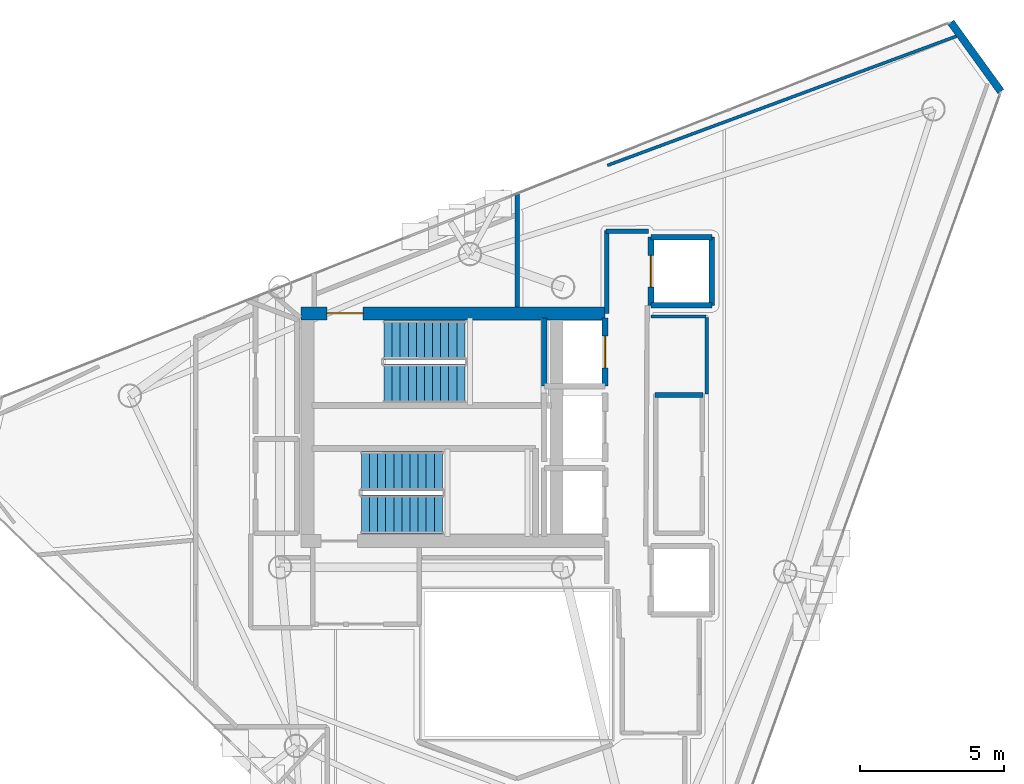
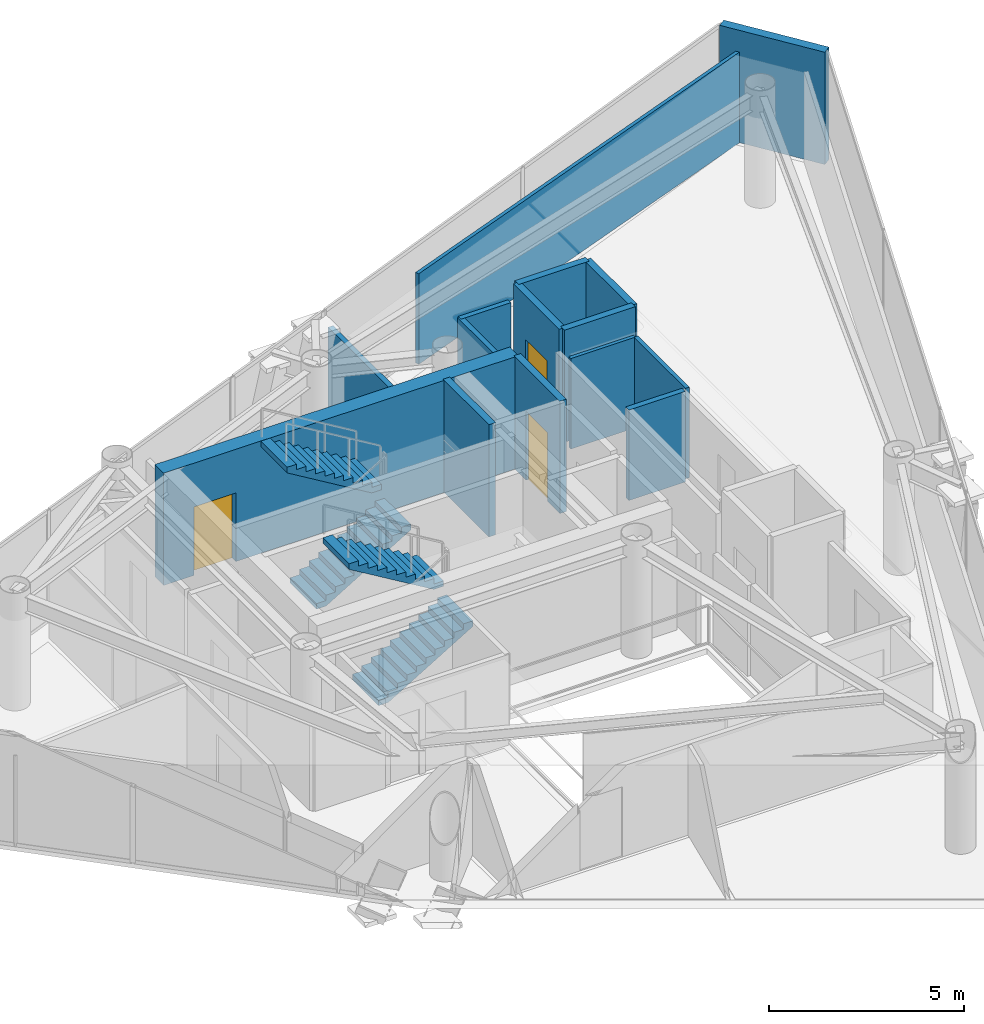
# One storey, part 17 of 19: 15 walls, 4 stair flights, 3 doors, 3 openings, 2 elements without a shape of their own.
"""IFC4 building model written with IfcOpenShell, lengths in metres."""

from ifc_helpers import new_model, si_unit, direction, frame, frame_2d, origin, place, context, subcontext, project, spatial, polyline, rectangle, outline, extrude, material, layer, layer_set, type_object, element, fill, aggregate, save


model = new_model("IFC4")

# Units and contexts
model_context = context("Model", 3, precision=1e-05, world=origin(), true_north=direction((0.0, 1.0)))
body_context = subcontext(model_context, "Body", "Model", "MODEL_VIEW")
ifc_project = project(units=[si_unit("LENGTHUNIT", "METRE"), si_unit("AREAUNIT", "SQUARE_METRE"), si_unit("VOLUMEUNIT", "CUBIC_METRE"), si_unit("PLANEANGLEUNIT", "RADIAN"), si_unit("MASSUNIT", "GRAM", prefix="KILO")], contexts=[model_context])

# Site, building, storey
site_placement = place(None, origin())
site = spatial("IfcSite", under=ifc_project, at=site_placement, CompositionType="ELEMENT")
building_placement = place(site_placement, origin())
building = spatial("IfcBuilding", under=site, at=building_placement, Name="Qianvela Tower", CompositionType="ELEMENT")
storey_placement = place(building_placement, frame((0.0, 0.0, 344.39990234375)))
storey = spatial("IfcBuildingStorey", under=building, at=storey_placement, Name="L89", CompositionType="ELEMENT", Elevation=344.39990234375)

# Wall
ifc_material_1 = material(Name="Terracotta Cladding on Concrete C40", Category="masonry")
ifc_layer_1 = layer(ifc_material_1, 0.260009765625)
ifc_layer_set_1 = layer_set([ifc_layer_1], Name="Terracotta Cladding on Concrete C40")
wall_type_1 = type_object("IfcWallType", Name="TERRACOTTA-WALL-260", PredefinedType="SOLIDWALL", material=ifc_layer_set_1)
wall_1_placement = place(storey_placement, frame((53.56494140625, 40.324951171875, 0.0), z_axis=(0.0, 0.0, 1.0), x_axis=(-0.586278623382, 0.810109483814, 0.0)))
element("IfcWall", 1, at=wall_1_placement, inside=storey, type_object=wall_type_1, Name="L89 Terracotta Chamfer Facet Wall 1", PredefinedType="SOLIDWALL", context=body_context, shape_type="SweptSolid", body=[
    extrude(rectangle(XDim=2.96240234375, YDim=0.260009765625, at=frame_2d((1.481201171875, 0.0))), origin(), (0.0, 0.0, 1.0), 3.52001953125),
])

# Wall, opening, door
ifc_material_2 = material(Name="Concrete C50", Category="concrete")
ifc_layer_2 = layer(ifc_material_2, 0.449951171875)
ifc_layer_set_2 = layer_set([ifc_layer_2], Name="Concrete C50")
wall_type_2 = type_object("IfcWallType", Name="WT-CORE-450", PredefinedType="SHEAR", material=ifc_layer_set_2)
wall_2_placement = place(storey_placement, frame((29.330078125, 32.64501953125, 0.0), z_axis=(0.0, 0.0, 1.0), x_axis=(1.0, 0.0, 0.0)))
wall_2 = element("IfcWall", 2, at=wall_2_placement, inside=storey, type_object=wall_type_2, Name="L89 North Core Shear Wall", PredefinedType="SHEAR", context=body_context, shape_type="SweptSolid", body=[
    extrude(rectangle(XDim=10.52001953125, YDim=0.449951171875, at=frame_2d((5.260009765625, 0.0))), origin(), (0.0, 0.0, 1.0), 3.52001953125),
])
opening_1_placement = place(wall_2_placement, frame((0.89501953125, 0.0, 0.0)))
opening_1 = element("IfcOpeningElement", 3, at=opening_1_placement, cuts=wall_2, Name="Opening D-ST1", PredefinedType="OPENING", context=body_context, shape_type="SweptSolid", body=[
    extrude(rectangle(XDim=1.25, YDim=2.14990234375, at=frame_2d((0.625, 1.074951171875))), frame((0.0, 0.23486328125, 0.0), z_axis=(0.0, -1.0, 0.0), x_axis=(1.0, 0.0, 0.0)), (0.0, 0.0, 1.0), 0.469970703125),
])
ifc_material_3 = material(Name="Galvanised Fire Steel Q355B", Category="steel")
door_type_1 = type_object("IfcDoorType", Name="DT-STAIR-FD90", OperationType="NOTDEFINED", PredefinedType="DOOR", material=ifc_material_3)
door_1_placement = place(opening_1_placement, origin())
door_1 = element("IfcDoor", 4, at=door_1_placement, inside=storey, type_object=door_type_1, Name="L89 Stair ST-1 Exit Door", OperationType="SINGLE_SWING_RIGHT", OverallHeight=2.14990234375, OverallWidth=1.25, PredefinedType="DOOR", context=body_context, shape_type="SweptSolid", body=[
    extrude(rectangle(XDim=1.25, YDim=2.14990234375, at=frame_2d((0.625, 1.074951171875))), frame((0.0, 0.02490234375, 0.0), z_axis=(0.0, -1.0, 0.0), x_axis=(1.0, 0.0, 0.0)), (0.0, 0.0, 1.0), 0.050048828125),
])
fill(opening_1, door_1)

# Walls
ifc_material_4 = material(Name="Fire-Rated Acoustic Gypsum Board")
ifc_layer_3 = layer(ifc_material_4, 0.14990234375)
ifc_layer_set_3 = layer_set([ifc_layer_3], Name="Fire-Rated Acoustic Gypsum Board")
wall_type_3 = type_object("IfcWallType", Name="WT-CORR-150", PredefinedType="PARTITIONING", material=ifc_layer_set_3)
wall_3_placement = place(storey_placement, frame((36.819091796875, 36.812255859375, 0.0), z_axis=(0.0, 0.0, 1.0), x_axis=(0.0, -1.0, 0.0)))
element("IfcWall", 5, at=wall_3_placement, inside=storey, type_object=wall_type_3, Name="L89 Partition 2", PredefinedType="PARTITIONING", context=body_context, shape_type="SweptSolid", body=[
    extrude(rectangle(XDim=3.954345703125, YDim=0.14990234375, at=frame_2d((1.97705078125, 0.0))), origin(), (0.0, 0.0, 1.0), 2.840087890625),
])
wall_4_placement = place(storey_placement, frame((39.910888671875, 32.639892578125, 0.0), z_axis=(0.0, 0.0, 1.0), x_axis=(0.0, 1.0, 0.0)))
element("IfcWall", 6, at=wall_4_placement, inside=storey, type_object=wall_type_3, Name="L89 Partition 12", PredefinedType="PARTITIONING", context=body_context, shape_type="SweptSolid", body=[
    extrude(rectangle(XDim=2.880126953125, YDim=0.14990234375, at=frame_2d((1.43994140625, 0.0))), origin(), (0.0, 0.0, 1.0), 2.840087890625),
])
wall_5_placement = place(storey_placement, frame((39.8798828125, 35.489013671875, 0.0), z_axis=(0.0, 0.0, 1.0), x_axis=(1.0, 0.0, 0.0)))
element("IfcWall", 7, at=wall_5_placement, inside=storey, type_object=wall_type_3, Name="L89 Partition 13", PredefinedType="PARTITIONING", context=body_context, shape_type="SweptSolid", body=[
    extrude(rectangle(XDim=1.480224609375, YDim=0.14990234375, at=frame_2d((0.740234375, 0.0))), origin(), (0.0, 0.0, 1.0), 2.840087890625),
])
ifc_material_5 = material(Name="Lightweight Gypsum Room Partition")
ifc_layer_4 = layer(ifc_material_5, 0.10498046875)
ifc_layer_set_4 = layer_set([ifc_layer_4], Name="Lightweight Gypsum Room Partition")
wall_type_4 = type_object("IfcWallType", Name="WT-PART-105", PredefinedType="PARTITIONING", material=ifc_layer_set_4)
wall_6_placement = place(storey_placement, frame((43.35009765625, 32.531005859375, 0.0), z_axis=(0.0, 0.0, 1.0), x_axis=(-1.0, 0.0, 0.0)))
element("IfcWall", 8, at=wall_6_placement, inside=storey, type_object=wall_type_4, Name="L89 Partition 71", PredefinedType="PARTITIONING", context=body_context, shape_type="SweptSolid", body=[
    extrude(rectangle(XDim=1.91015625, YDim=0.10498046875, at=frame_2d((0.955078125, 0.0))), origin(), (0.0, 0.0, 1.0), 2.840087890625),
])
wall_7_placement = place(storey_placement, frame((39.9365234375, 37.766357421875, 0.0), z_axis=(0.0, 0.0, 1.0), x_axis=(0.937828689574, 0.347098471636, 0.0)))
element("IfcWall", 9, at=wall_7_placement, inside=storey, type_object=wall_type_4, Name="L89 Partition 80 seg 2", PredefinedType="PARTITIONING", context=body_context, shape_type="SweptSolid", body=[
    extrude(rectangle(XDim=13.0390625, YDim=0.10498046875, at=frame_2d((6.51953125, 0.0))), origin(), (0.0, 0.0, 1.0), 2.840087890625),
])
ifc_material_6 = material(Name="Insulated Gypsum Stud Partition")
ifc_layer_5 = layer(ifc_material_6, 0.1201171875)
ifc_layer_set_5 = layer_set([ifc_layer_5], Name="Insulated Gypsum Stud Partition")
wall_type_5 = type_object("IfcWallType", Name="WT-PART-120", PredefinedType="PARTITIONING", material=ifc_layer_set_5)
wall_8_placement = place(storey_placement, frame((43.381103515625, 29.85009765625, 0.0), z_axis=(0.0, 0.0, 1.0), x_axis=(0.0, 1.0, 0.0)))
element("IfcWall", 10, at=wall_8_placement, inside=storey, type_object=wall_type_5, Name="L89 Partition 70 seg 2", PredefinedType="PARTITIONING", context=body_context, shape_type="SweptSolid", body=[
    extrude(rectangle(XDim=2.64990234375, YDim=0.1201171875, at=frame_2d((1.324951171875, 0.0))), origin(), (0.0, 0.0, 1.0), 2.840087890625),
])
ifc_material_7 = material(Name="Sanitary Service Chase Partition")
ifc_layer_6 = layer(ifc_material_7, 0.1650390625)
ifc_layer_set_6 = layer_set([ifc_layer_6], Name="Sanitary Service Chase Partition")
wall_type_6 = type_object("IfcWallType", Name="WT-PLUMB-165", PredefinedType="PLUMBINGWALL", material=ifc_layer_set_6)
wall_9_placement = place(storey_placement, frame((41.580078125, 29.819091796875, 0.0), z_axis=(0.0, 0.0, 1.0), x_axis=(1.0, 0.0, 0.0)))
element("IfcWall", 11, at=wall_9_placement, inside=storey, type_object=wall_type_6, Name="L89 Partition 21", PredefinedType="PLUMBINGWALL", context=body_context, shape_type="SweptSolid", body=[
    extrude(rectangle(XDim=1.669921875, YDim=0.1650390625, at=frame_2d((0.8349609375, 0.0))), origin(), (0.0, 0.0, 1.0), 2.840087890625),
])

# Wall, opening, door
ifc_material_8 = material(Name="Concrete C50", Category="concrete")
ifc_layer_7 = layer(ifc_material_8, 0.199951171875)
ifc_layer_set_7 = layer_set([ifc_layer_7], Name="Concrete C50")
wall_type_7 = type_object("IfcWallType", Name="WT-SHAFT-200", PredefinedType="SOLIDWALL", material=ifc_layer_set_7)
wall_10_placement = place(storey_placement, frame((39.85009765625, 30.1201171875, 0.0), z_axis=(0.0, 0.0, 1.0), x_axis=(0.0, 1.0, 0.0)))
wall_10 = element("IfcWall", 12, at=wall_10_placement, inside=storey, type_object=wall_type_7, Name="L89 Lift FL-1 E Shaft Wall", PredefinedType="SOLIDWALL", context=body_context, shape_type="SweptSolid", body=[
    extrude(rectangle(XDim=2.35986328125, YDim=0.199951171875, at=frame_2d((1.179931640625, 0.0))), origin(), (0.0, 0.0, 1.0), 3.52001953125),
])
opening_2_placement = place(wall_10_placement, frame((0.6298828125, 0.0, 0.0)))
opening_2 = element("IfcOpeningElement", 13, at=opening_2_placement, cuts=wall_10, Name="Opening LD-01", PredefinedType="OPENING", context=body_context, shape_type="SweptSolid", body=[
    extrude(rectangle(XDim=1.10009765625, YDim=2.14990234375, at=frame_2d((0.550048828125, 1.074951171875))), frame((0.0, 0.10986328125, 0.0), z_axis=(0.0, -1.0, 0.0), x_axis=(1.0, 0.0, 0.0)), (0.0, 0.0, 1.0), 0.219970703125),
])
ifc_material_9 = material(Name="Brushed Stainless Steel Lift Landing Door", Category="steel")
door_type_2 = type_object("IfcDoorType", Name="DT-LIFT-SLIDE-1100", OperationType="SLIDING_TO_LEFT", PredefinedType="DOOR", material=ifc_material_9)
door_2_placement = place(opening_2_placement, origin())
door_2 = element("IfcDoor", 14, at=door_2_placement, inside=storey, type_object=door_type_2, Name="L89 Lift FL-1 Sliding Landing Door", OperationType="SLIDING_TO_LEFT", OverallHeight=2.14990234375, OverallWidth=1.10009765625, PredefinedType="DOOR", context=body_context, shape_type="SweptSolid", body=[
    extrude(rectangle(XDim=1.10009765625, YDim=2.14990234375, at=frame_2d((0.550048828125, 1.074951171875))), frame((0.0, 0.02490234375, 0.0), z_axis=(0.0, -1.0, 0.0), x_axis=(1.0, 0.0, 0.0)), (0.0, 0.0, 1.0), 0.050048828125),
])
fill(opening_2, door_2)

# Walls
wall_11_placement = place(storey_placement, frame((37.75, 30.1201171875, 0.0), z_axis=(0.0, 0.0, 1.0), x_axis=(0.0, 1.0, 0.0)))
element("IfcWall", 15, at=wall_11_placement, inside=storey, type_object=wall_type_7, Name="L89 Lift FL-1 W Shaft Wall", PredefinedType="SOLIDWALL", context=body_context, shape_type="SweptSolid", body=[
    extrude(rectangle(XDim=2.35986328125, YDim=0.199951171875, at=frame_2d((1.179931640625, 0.0))), origin(), (0.0, 0.0, 1.0), 3.52001953125),
])
wall_12_placement = place(storey_placement, frame((43.550048828125, 32.919921875, 0.0), z_axis=(0.0, 0.0, 1.0), x_axis=(0.0, 1.0, 0.0)))
element("IfcWall", 16, at=wall_12_placement, inside=storey, type_object=wall_type_7, Name="L89 Lift PL-H3 E Shaft Wall", PredefinedType="SOLIDWALL", context=body_context, shape_type="SweptSolid", body=[
    extrude(rectangle(XDim=2.360107421875, YDim=0.199951171875, at=frame_2d((1.18017578125, 0.0))), origin(), (0.0, 0.0, 1.0), 3.52001953125),
])

# Wall, opening, door
wall_13_placement = place(storey_placement, frame((41.449951171875, 32.919921875, 0.0), z_axis=(0.0, 0.0, 1.0), x_axis=(0.0, 1.0, 0.0)))
wall_13 = element("IfcWall", 17, at=wall_13_placement, inside=storey, type_object=wall_type_7, Name="L89 Lift PL-H3 W Shaft Wall", PredefinedType="SOLIDWALL", context=body_context, shape_type="SweptSolid", body=[
    extrude(rectangle(XDim=2.360107421875, YDim=0.199951171875, at=frame_2d((1.18017578125, 0.0))), origin(), (0.0, 0.0, 1.0), 3.52001953125),
])
opening_3_placement = place(wall_13_placement, frame((0.6298828125, 0.0, 0.0)))
opening_3 = element("IfcOpeningElement", 18, at=opening_3_placement, cuts=wall_13, Name="Opening LD-01", PredefinedType="OPENING", context=body_context, shape_type="SweptSolid", body=[
    extrude(rectangle(XDim=1.10009765625, YDim=2.14990234375, at=frame_2d((0.550048828125, 1.074951171875))), frame((0.0, 0.10986328125, 0.0), z_axis=(0.0, -1.0, 0.0), x_axis=(1.0, 0.0, 0.0)), (0.0, 0.0, 1.0), 0.219970703125),
])
door_3_placement = place(opening_3_placement, origin())
door_3 = element("IfcDoor", 19, at=door_3_placement, inside=storey, type_object=door_type_2, Name="L89 Lift PL-H3 Sliding Landing Door", OperationType="SLIDING_TO_LEFT", OverallHeight=2.14990234375, OverallWidth=1.10009765625, PredefinedType="DOOR", context=body_context, shape_type="SweptSolid", body=[
    extrude(rectangle(XDim=1.10009765625, YDim=2.14990234375, at=frame_2d((0.550048828125, 1.074951171875))), frame((0.0, 0.02490234375, 0.0), z_axis=(0.0, -1.0, 0.0), x_axis=(1.0, 0.0, 0.0)), (0.0, 0.0, 1.0), 0.050048828125),
])
fill(opening_3, door_3)

# Walls
for number, where, z_axis, x_axis, name in (
    (20, (41.449951171875, 35.280029296875, 0.0), (0.0, 0.0, 1.0), (1.0, 0.0, 0.0), "L89 Lift PL-H3 N Shaft Wall"),
    (21, (41.449951171875, 32.919921875, 0.0), (0.0, 0.0, 1.0), (1.0, 0.0, 0.0), "L89 Lift PL-H3 S Shaft Wall"),
):
    element("IfcWall", number, at=place(storey_placement, frame(where, z_axis=z_axis, x_axis=x_axis)), inside=storey, type_object=wall_type_7, Name=name, PredefinedType="SOLIDWALL", context=body_context, shape_type="SweptSolid", body=[
        extrude(rectangle(XDim=2.10009765625, YDim=0.199951171875, at=frame_2d((1.050048828125, 0.0))), origin(), (0.0, 0.0, 1.0), 3.52001953125),
    ])

# Stair, stair flights
ifc_material_10 = material(Name="Concrete C40", Category="concrete")
stair_type = type_object("IfcStairType", Name="ST-DOGLEG-1350-R168-N22", PredefinedType="HALF_TURN_STAIR", material=ifc_material_10)
stair_1_placement = place(storey_placement, origin())
stair_1 = element("IfcStair", 22, at=stair_1_placement, inside=storey, type_object=stair_type, Name="L89 Smoke-Proof Core Stair ST-1", PredefinedType="HALF_TURN_STAIR")
ifc_material_11 = material(Name="Concrete C40", Category="concrete")
stair_flight_type = type_object("IfcStairFlightType", Name="STF-STRAIGHT-R168-P11", PredefinedType="STRAIGHT", material=ifc_material_11)
stair_flight_1_placement = place(storey_placement, frame((32.199951171875, 30.215087890625, 0.0), z_axis=(0.0, 0.0, 1.0), x_axis=(1.0, 0.0, 0.0)))
stair_flight_1 = element("IfcStairFlight", 23, at=stair_flight_1_placement, type_object=stair_flight_type, Name="ST-1 flight 1", NumberOfRisers=11, NumberOfTreads=10, PredefinedType="STRAIGHT", RiserHeight=0.168181818, TreadLength=0.28, context=body_context, shape_type="SweptSolid", body=[
    extrude(outline(polyline([(0.0, 0.0), (0.0, 0.168212890625), (0.280029296875, 0.168212890625), (0.280029296875, 0.33642578125), (0.56005859375, 0.33642578125), (0.56005859375, 0.504638671875), (0.840087890625, 0.504638671875), (0.840087890625, 0.672607421875), (1.1201171875, 0.672607421875), (1.1201171875, 0.8408203125), (1.39990234375, 0.8408203125), (1.39990234375, 1.009033203125), (1.679931640625, 1.009033203125), (1.679931640625, 1.17724609375), (1.9599609375, 1.17724609375), (1.9599609375, 1.345458984375), (2.239990234375, 1.345458984375), (2.239990234375, 1.513671875), (2.52001953125, 1.513671875), (2.52001953125, 1.681884765625), (2.800048828125, 1.681884765625), (2.800048828125, 1.85009765625), (2.800048828125, 1.5068359375), (0.291015625, 0.0), (0.0, 0.0)])), frame((0.0, 0.675048828125, 0.0), z_axis=(0.0, -1.0, 0.0), x_axis=(1.0, 0.0, 0.0)), (0.0, 0.0, 1.0), 1.35009765625),
])
stair_flight_2_placement = place(storey_placement, frame((35.0, 31.72509765625, 1.85009765625), z_axis=(0.0, 0.0, 1.0), x_axis=(-1.0, 0.0, 0.0)))
stair_flight_2 = element("IfcStairFlight", 24, at=stair_flight_2_placement, type_object=stair_flight_type, Name="ST-1 flight 2", NumberOfRisers=11, NumberOfTreads=10, PredefinedType="STRAIGHT", RiserHeight=0.168181818, TreadLength=0.28, context=body_context, shape_type="SweptSolid", body=[
    extrude(outline(polyline([(0.0, 0.0), (0.0, 0.168212890625), (0.280029296875, 0.168212890625), (0.280029296875, 0.33642578125), (0.56005859375, 0.33642578125), (0.56005859375, 0.504638671875), (0.840087890625, 0.504638671875), (0.840087890625, 0.672607421875), (1.1201171875, 0.672607421875), (1.1201171875, 0.8408203125), (1.39990234375, 0.8408203125), (1.39990234375, 1.009033203125), (1.679931640625, 1.009033203125), (1.679931640625, 1.17724609375), (1.9599609375, 1.17724609375), (1.9599609375, 1.345458984375), (2.239990234375, 1.345458984375), (2.239990234375, 1.513671875), (2.52001953125, 1.513671875), (2.52001953125, 1.681884765625), (2.800048828125, 1.681884765625), (2.800048828125, 1.85009765625), (2.800048828125, 1.5068359375), (0.291015625, 0.0), (0.0, 0.0)])), frame((0.0, 0.675048828125, 0.0), z_axis=(0.0, -1.0, 0.0), x_axis=(1.0, 0.0, 0.0)), (0.0, 0.0, 1.0), 1.35009765625),
])
aggregate(stair_1, [stair_flight_1, stair_flight_2])

stair_2_placement = place(storey_placement, origin())
stair_2 = element("IfcStair", 25, at=stair_2_placement, inside=storey, type_object=stair_type, Name="L89 Smoke-Proof Core Stair ST-2", PredefinedType="HALF_TURN_STAIR")
stair_flight_3_placement = place(storey_placement, frame((31.419921875, 25.675048828125, 0.0), z_axis=(0.0, 0.0, 1.0), x_axis=(1.0, 0.0, 0.0)))
stair_flight_3 = element("IfcStairFlight", 26, at=stair_flight_3_placement, type_object=stair_flight_type, Name="ST-2 flight 1", NumberOfRisers=11, NumberOfTreads=10, PredefinedType="STRAIGHT", RiserHeight=0.168181818, TreadLength=0.28, context=body_context, shape_type="SweptSolid", body=[
    extrude(outline(polyline([(0.0, 0.0), (0.0, 0.168212890625), (0.280029296875, 0.168212890625), (0.280029296875, 0.33642578125), (0.56005859375, 0.33642578125), (0.56005859375, 0.504638671875), (0.840087890625, 0.504638671875), (0.840087890625, 0.672607421875), (1.1201171875, 0.672607421875), (1.1201171875, 0.8408203125), (1.39990234375, 0.8408203125), (1.39990234375, 1.009033203125), (1.679931640625, 1.009033203125), (1.679931640625, 1.17724609375), (1.9599609375, 1.17724609375), (1.9599609375, 1.345458984375), (2.239990234375, 1.345458984375), (2.239990234375, 1.513671875), (2.52001953125, 1.513671875), (2.52001953125, 1.681884765625), (2.800048828125, 1.681884765625), (2.800048828125, 1.85009765625), (2.800048828125, 1.5068359375), (0.291015625, 0.0), (0.0, 0.0)])), frame((0.0, 0.675048828125, 0.0), z_axis=(0.0, -1.0, 0.0), x_axis=(1.0, 0.0, 0.0)), (0.0, 0.0, 1.0), 1.35009765625),
])
stair_flight_4_placement = place(storey_placement, frame((34.219970703125, 27.18505859375, 1.85009765625), z_axis=(0.0, 0.0, 1.0), x_axis=(-1.0, 0.0, 0.0)))
stair_flight_4 = element("IfcStairFlight", 27, at=stair_flight_4_placement, type_object=stair_flight_type, Name="ST-2 flight 2", NumberOfRisers=11, NumberOfTreads=10, PredefinedType="STRAIGHT", RiserHeight=0.168181818, TreadLength=0.28, context=body_context, shape_type="SweptSolid", body=[
    extrude(outline(polyline([(0.0, 0.0), (0.0, 0.168212890625), (0.280029296875, 0.168212890625), (0.280029296875, 0.33642578125), (0.56005859375, 0.33642578125), (0.56005859375, 0.504638671875), (0.840087890625, 0.504638671875), (0.840087890625, 0.672607421875), (1.1201171875, 0.672607421875), (1.1201171875, 0.8408203125), (1.39990234375, 0.8408203125), (1.39990234375, 1.009033203125), (1.679931640625, 1.009033203125), (1.679931640625, 1.17724609375), (1.9599609375, 1.17724609375), (1.9599609375, 1.345458984375), (2.239990234375, 1.345458984375), (2.239990234375, 1.513671875), (2.52001953125, 1.513671875), (2.52001953125, 1.681884765625), (2.800048828125, 1.681884765625), (2.800048828125, 1.85009765625), (2.800048828125, 1.5068359375), (0.291015625, 0.0), (0.0, 0.0)])), frame((0.0, 0.675048828125, 0.0), z_axis=(0.0, -1.0, 0.0), x_axis=(1.0, 0.0, 0.0)), (0.0, 0.0, 1.0), 1.35009765625),
])
aggregate(stair_2, [stair_flight_3, stair_flight_4])

save(model, "model.ifc")
